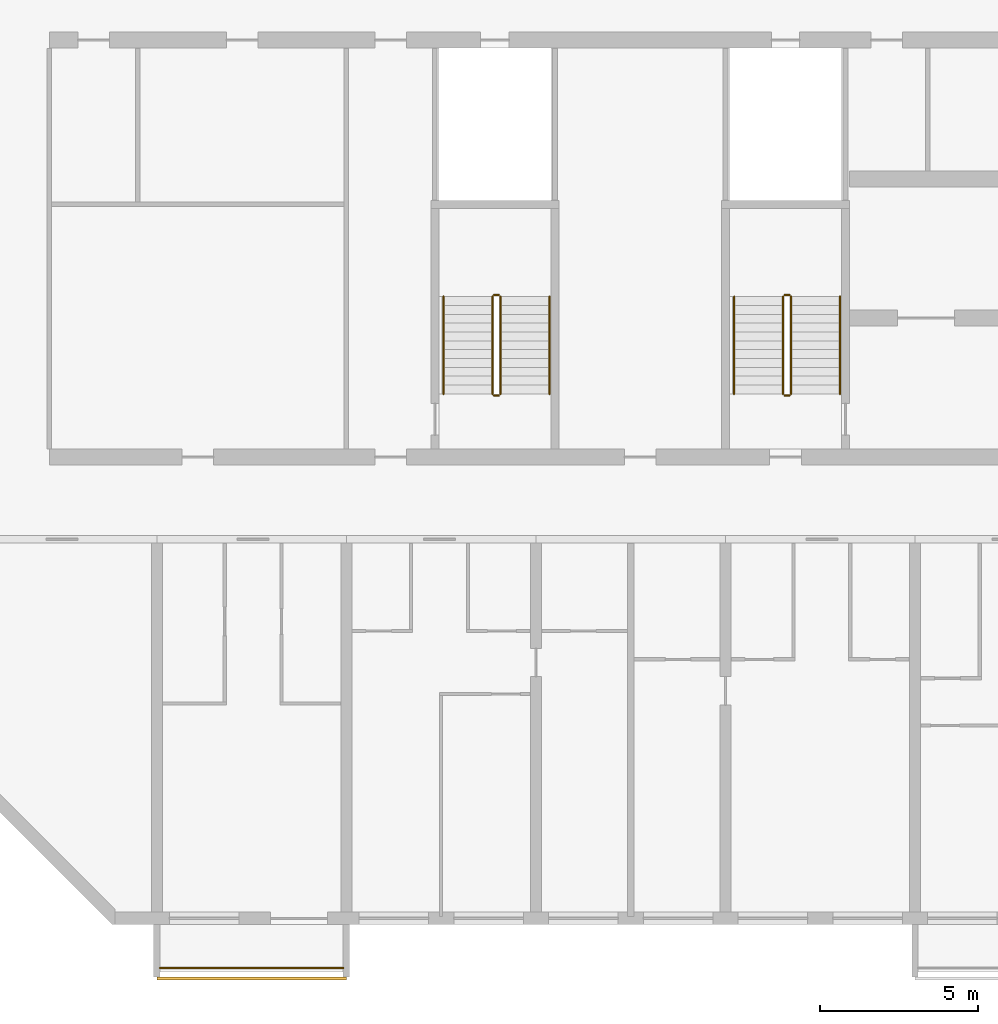
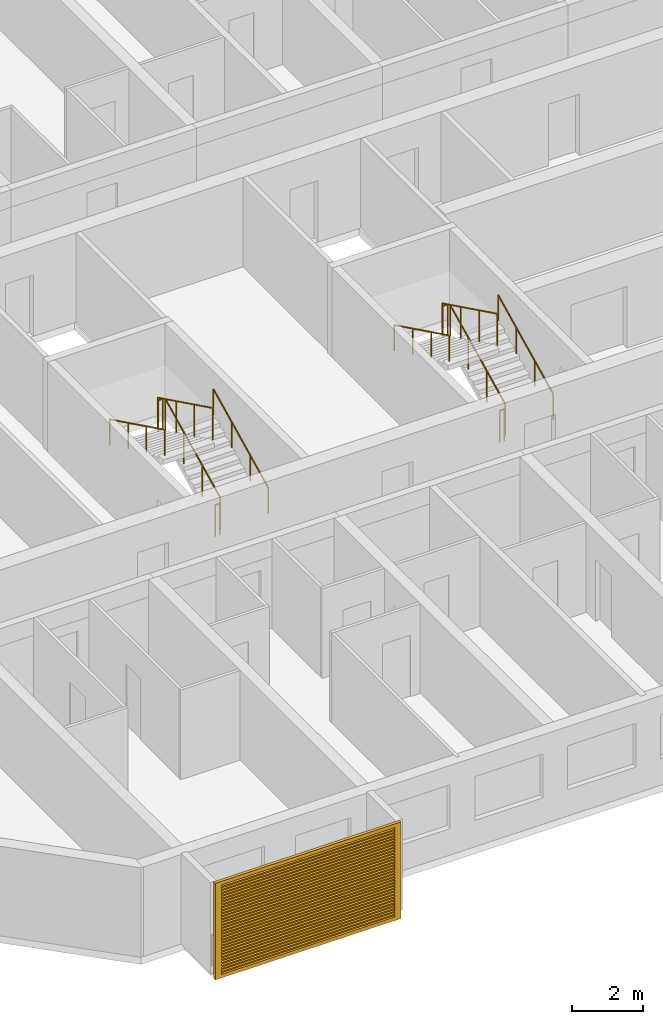
# One storey, part 17 of 27: 13 railings, 1 shading device.
"""IFC4 building model written with IfcOpenShell, lengths in metres."""

import ifcopenshell
import ifcopenshell.guid

model = None  # the IFC model being written
_history = None  # IfcOwnerHistory: only IFC2X3 demands one
_inside = {}  # id of a spatial element -> (the spatial element, [elements in it])
_under = {}  # id of a project, library or spatial element -> (it, [spatial elements below it])
_declared = {}  # id of a project -> (the project, [libraries it declares])
_typed = {}  # id of a type object -> (the type object, [elements of that type])
_made_of = {}  # id of a material, layer set ... -> (it, [elements and type objects made of it])


def new_model(schema):
    """Start an empty IFC model of exactly this schema.

    Asked for "IFC4X3", IfcOpenShell would pick the latest addendum, in which some entities
    have other attributes; the version numbers below select the first issue.
    IFC2X3 requires an IfcOwnerHistory on every rooted entity: one is made here for all.
    """
    global model, _history
    if schema == "IFC4X3":
        model = ifcopenshell.file(schema_version=(4, 3, 0, 0))
    else:
        model = ifcopenshell.file(schema=schema)
    _inside.clear()
    _under.clear()
    _declared.clear()
    _typed.clear()
    _made_of.clear()
    _history = None
    if model.schema == "IFC2X3":
        org = make("IfcOrganization", Name="unknown")
        user = make(
            "IfcPersonAndOrganization",
            ThePerson=make("IfcPerson", FamilyName="unknown"),
            TheOrganization=org,
        )
        app = make(
            "IfcApplication",
            ApplicationDeveloper=org,
            Version="unknown",
            ApplicationFullName="unknown",
            ApplicationIdentifier="unknown",
        )
        _history = make(
            "IfcOwnerHistory",
            OwningUser=user,
            OwningApplication=app,
            ChangeAction="ADDED",
            CreationDate=0,
        )
    return model


def make(cls, **values):
    """One entity of the class cls with the attributes given. An attribute that is None is left unset."""
    return model.create_entity(
        cls, **{name: value for name, value in values.items() if value is not None}
    )


def rooted(cls, **values):
    """An entity with a GlobalId (a new one), such as an element, a storey or a relation."""
    return make(cls, GlobalId=ifcopenshell.guid.new(), OwnerHistory=_history, **values)


def si_unit(unit_type, name, prefix=None):
    """IfcSIUnit, for example si_unit("LENGTHUNIT", "METRE", prefix="MILLI")."""
    return make("IfcSIUnit", UnitType=unit_type, Prefix=prefix, Name=name)


def assignment(units):
    """IfcUnitAssignment: the units of a project."""
    return None if units is None else make("IfcUnitAssignment", Units=units)


def point(xyz):
    """IfcCartesianPoint."""
    return None if xyz is None else make("IfcCartesianPoint", Coordinates=xyz)


def direction(xyz):
    """IfcDirection."""
    return None if xyz is None else make("IfcDirection", DirectionRatios=xyz)


def frame(location, z_axis=None, x_axis=None):
    """IfcAxis2Placement3D, a coordinate frame: its origin and axes. An axis left out is left unset."""
    return make(
        "IfcAxis2Placement3D",
        Location=point(location),
        Axis=direction(z_axis),
        RefDirection=direction(x_axis),
    )


def frame_2d(location, x_axis=None):
    """IfcAxis2Placement2D, a coordinate frame in the plane: its origin and x axis."""
    return make(
        "IfcAxis2Placement2D", Location=point(location), RefDirection=direction(x_axis)
    )


def origin():
    """The frame at (0, 0, 0) with its axes left unset."""
    return frame((0.0, 0.0, 0.0))


def origin_2d():
    """The frame at (0, 0) in the plane with its x axis left unset."""
    return frame_2d((0.0, 0.0))


def place(relative_to, where):
    """IfcLocalPlacement: puts the frame where relative to a parent placement (None: the world)."""
    return make(
        "IfcLocalPlacement", PlacementRelTo=relative_to, RelativePlacement=where
    )


def context(
    kind, dimensions, precision=None, world=None, true_north=None, identifier=None
):
    """IfcGeometricRepresentationContext, for example the 3D "Model" context."""
    return make(
        "IfcGeometricRepresentationContext",
        ContextIdentifier=identifier,
        ContextType=kind,
        CoordinateSpaceDimension=dimensions,
        Precision=precision,
        WorldCoordinateSystem=world,
        TrueNorth=true_north,
    )


def subcontext(parent, identifier, kind, view, scale=None):
    """IfcGeometricRepresentationSubContext, for example "Body" below "Model"."""
    return make(
        "IfcGeometricRepresentationSubContext",
        ContextIdentifier=identifier,
        ContextType=kind,
        ParentContext=parent,
        TargetScale=scale,
        TargetView=view,
    )


def project(units=None, contexts=None):
    """IfcProject with its units and contexts."""
    return rooted(
        "IfcProject",
        Name="project",
        RepresentationContexts=contexts,
        UnitsInContext=assignment(units),
    )


def spatial(cls, under=None, at=None, **own):
    """A site, building, storey or space (cls), placed at a placement, below another one or the project."""
    s = rooted(cls, ObjectPlacement=at, **own)
    if under is not None:
        _under.setdefault(under.id(), (under, []))[1].append(s)
    return s


def polyline(points):
    """IfcPolyline through the points."""
    return make("IfcPolyline", Points=[point(p) for p in points])


def profile(cls, at=None, kind="AREA", **sizes):
    """A parametric profile (cls). Its sizes go by their IFC names, for example OverallWidth=200.0."""
    return make(cls, ProfileType=kind, Position=at, **sizes)


def circle(**sizes):
    """IfcCircleProfileDef."""
    return profile("IfcCircleProfileDef", **sizes)


def outline(outer, holes=None, kind="AREA"):
    """IfcArbitraryClosedProfileDef: a profile drawn as a closed curve; with holes, ...WithVoids."""
    if holes is None:
        return make("IfcArbitraryClosedProfileDef", ProfileType=kind, OuterCurve=outer)
    return make(
        "IfcArbitraryProfileDefWithVoids",
        ProfileType=kind,
        OuterCurve=outer,
        InnerCurves=holes,
    )


def extrude(swept, where, along, depth):
    """IfcExtrudedAreaSolid: the profile swept, set in the frame where, extruded along a direction by depth."""
    return make(
        "IfcExtrudedAreaSolid",
        SweptArea=swept,
        Position=where,
        ExtrudedDirection=direction(along),
        Depth=depth,
    )


def shape(context_of_items, identifier, shape_type, items):
    """IfcShapeRepresentation: the items that make up one representation, for example the "Body"."""
    return make(
        "IfcShapeRepresentation",
        ContextOfItems=context_of_items,
        RepresentationIdentifier=identifier,
        RepresentationType=shape_type,
        Items=items,
    )


def source(mapping_origin, context_of_items, identifier, shape_type, items):
    """IfcRepresentationMap: a shape defined once, which mapped items show again and again."""
    return make(
        "IfcRepresentationMap",
        MappingOrigin=mapping_origin,
        MappedRepresentation=shape(context_of_items, identifier, shape_type, items),
    )


def transform(
    local_origin,
    x_axis=None,
    y_axis=None,
    z_axis=None,
    scale=None,
    scale2=None,
    scale3=None,
    uniform=True,
):
    """IfcCartesianTransformationOperator3D, or its non-uniform kind. x_axis, y_axis, z_axis: its Axis1, 2, 3."""
    if uniform:
        return make(
            "IfcCartesianTransformationOperator3D",
            Axis1=direction(x_axis),
            Axis2=direction(y_axis),
            LocalOrigin=point(local_origin),
            Scale=scale,
            Axis3=direction(z_axis),
        )
    return make(
        "IfcCartesianTransformationOperator3DnonUniform",
        Axis1=direction(x_axis),
        Axis2=direction(y_axis),
        LocalOrigin=point(local_origin),
        Scale=scale,
        Axis3=direction(z_axis),
        Scale2=scale2,
        Scale3=scale3,
    )


def mapped(mapping_source, mapping_target):
    """IfcMappedItem: shows the shape of a source again, moved by a transform."""
    return make(
        "IfcMappedItem", MappingSource=mapping_source, MappingTarget=mapping_target
    )


def material(Name=None, Category=None):
    """IfcMaterial."""
    return make("IfcMaterial", Name=Name, Category=Category)


def material_profile(
    of_material, cross_section, Name=None, Category=None, Priority=None
):
    """IfcMaterialProfile: a cross section and its material."""
    return make(
        "IfcMaterialProfile",
        Name=Name,
        Material=of_material,
        Profile=cross_section,
        Priority=Priority,
        Category=Category,
    )


def profile_set(profiles, Name=None, composite=None):
    """IfcMaterialProfileSet."""
    return make(
        "IfcMaterialProfileSet",
        Name=Name,
        MaterialProfiles=profiles,
        CompositeProfile=composite,
    )


def made_of(thing, what):
    """Note that an element or type object is made of a material, layer set ...; save() writes the relation."""
    if what is not None:
        _made_of.setdefault(what.id(), (what, []))[1].append(thing)
    return thing


def type_object(cls, material=None, **own):
    """A type object (cls), such as IfcWallType, which elements share."""
    return made_of(rooted(cls, **own), material)


def element(
    cls,
    number,
    at=None,
    inside=None,
    cuts=None,
    type_object=None,
    material=None,
    context=None,
    identifier="Body",
    shape_type=None,
    held_by="IfcProductDefinitionShape",
    body=None,
    shapes=None,
    **own,
):
    """One element of the class cls, such as IfcWall. Its Tag is "e" and its number.

    at: its placement. inside: the storey or other place that contains it. cuts: it is an
    opening in that element (IfcRelVoidsElement). A single representation is given by context,
    identifier, shape_type and body (its items); several are given by shapes. held_by: the class
    of the entity that holds the representations. save() writes the other relations.
    """
    e = rooted(cls, Tag="e%d" % number, ObjectPlacement=at, **own)
    if body is not None:
        shapes = [shape(context, identifier, shape_type, body)]
    if shapes is not None:
        e.Representation = make(held_by, Representations=shapes)
    if inside is not None:
        _inside.setdefault(inside.id(), (inside, []))[1].append(e)
    if cuts is not None:
        rooted(
            "IfcRelVoidsElement", RelatingBuildingElement=cuts, RelatedOpeningElement=e
        )
    if type_object is not None:
        _typed.setdefault(type_object.id(), (type_object, []))[1].append(e)
    return made_of(e, material)


def aggregate(whole, parts):
    """IfcRelAggregates: a whole, such as a stair, and the parts it consists of."""
    return rooted("IfcRelAggregates", RelatingObject=whole, RelatedObjects=parts)


def save(model, path):
    """Write the relations noted so far, then the file.

    IfcRelAggregates (storeys below a building ...), IfcRelContainedInSpatialStructure (elements
    in a storey), IfcRelDefinesByType, IfcRelAssociatesMaterial and IfcRelDeclares: one each for
    every whole, place, type object, material and project.
    """
    for whole, parts in _under.values():
        aggregate(whole, parts)
    for where, things in _inside.values():
        rooted(
            "IfcRelContainedInSpatialStructure",
            RelatedElements=things,
            RelatingStructure=where,
        )
    for kind, things in _typed.values():
        rooted("IfcRelDefinesByType", RelatedObjects=things, RelatingType=kind)
    for what, things in _made_of.values():
        rooted("IfcRelAssociatesMaterial", RelatedObjects=things, RelatingMaterial=what)
    for by, libraries in _declared.values():
        rooted("IfcRelDeclares", RelatingContext=by, RelatedDefinitions=libraries)
    model.write(path)


model = new_model("IFC4")

# Units and contexts
model_context = context("Model", 3, precision=1e-05, world=origin(), true_north=direction((0.0, 1.0)))
body_context = subcontext(model_context, "Body", "Model", "MODEL_VIEW")
ifc_project = project(units=[si_unit("LENGTHUNIT", "METRE"), si_unit("AREAUNIT", "SQUARE_METRE"), si_unit("VOLUMEUNIT", "CUBIC_METRE"), si_unit("PLANEANGLEUNIT", "RADIAN"), si_unit("MASSUNIT", "GRAM", prefix="KILO")], contexts=[model_context])

# Site, building, storey
site_placement = place(None, origin())
site = spatial("IfcSite", under=ifc_project, at=site_placement, CompositionType="ELEMENT")
building_placement = place(site_placement, origin())
building = spatial("IfcBuilding", under=site, at=building_placement, Name="Poui Terraces", CompositionType="ELEMENT")
storey_placement = place(building_placement, frame((0.0, 0.0, 92.699951171875)))
storey = spatial("IfcBuildingStorey", under=building, at=storey_placement, Name="L25", CompositionType="ELEMENT", Elevation=92.699951171875)

# Railings
ifc_material_1 = material(Name="Painted steel fretwork", Category="steel")
railing_type_1 = type_object("IfcRailingType", Name="BALCONY GUARD 1100", PredefinedType="GUARDRAIL", material=ifc_material_1)
railing_1_placement = place(storey_placement, frame((12.10009765625, -1.570068359375, 0.0)))
element("IfcRailing", 1, at=railing_1_placement, inside=storey, type_object=railing_type_1, Name="BALCONY GUARD", PredefinedType="GUARDRAIL", context=body_context, shape_type="SweptSolid", body=[
    extrude(circle(Radius=0.02392578125, at=origin_2d()), frame((0.0, 0.0, 1.076171875), z_axis=(1.0, 0.0, 0.0), x_axis=(0.0, 1.0, 0.0)), (0.0, 0.0, 1.0), 5.7998046875),
    extrude(circle(Radius=0.02099609375, at=origin_2d()), origin(), (0.0, 0.0, 1.0), 1.052001953125),
    extrude(circle(Radius=0.02099609375, at=origin_2d()), frame((0.966552734375, 0.0, 0.0)), (0.0, 0.0, 1.0), 1.052001953125),
    extrude(circle(Radius=0.02099609375, at=origin_2d()), frame((1.933349609375, 0.0, 0.0)), (0.0, 0.0, 1.0), 1.052001953125),
    extrude(circle(Radius=0.02099609375, at=origin_2d()), frame((2.89990234375, 0.0, 0.0)), (0.0, 0.0, 1.0), 1.052001953125),
    extrude(circle(Radius=0.02099609375, at=origin_2d()), frame((3.866455078125, 0.0, 0.0)), (0.0, 0.0, 1.0), 1.052001953125),
    extrude(circle(Radius=0.02099609375, at=origin_2d()), frame((4.833251953125, 0.0, 0.0)), (0.0, 0.0, 1.0), 1.052001953125),
    extrude(circle(Radius=0.02099609375, at=origin_2d()), frame((5.7998046875, 0.0, 0.0)), (0.0, 0.0, 1.0), 1.052001953125),
])
ifc_material_2 = material(Name="Galvanised steel balustrade", Category="steel")
railing_type_2 = type_object("IfcRailingType", Name="STAIR GUARD 1100", PredefinedType="GUARDRAIL", material=ifc_material_2)
railing_2_placement = place(storey_placement, frame((32.074951171875, 16.60009765625, 0.137451171875)))
element("IfcRailing", 2, at=railing_2_placement, inside=storey, type_object=railing_type_2, Name="L25 ST-CW stair guard 1", PredefinedType="GUARDRAIL", context=body_context, shape_type="SweptSolid", body=[
    extrude(circle(Radius=0.02392578125, at=origin_2d()), frame((0.0, 0.0, 1.076171875), z_axis=(0.0, 0.897578036475, 0.440855609512), x_axis=(-1.0, 0.0, 0.0)), (0.0, 0.0, 1.0), 3.43115234375),
    extrude(circle(Radius=0.02099609375, at=origin_2d()), origin(), (0.0, 0.0, 1.0), 1.052001953125),
    extrude(circle(Radius=0.02099609375, at=origin_2d()), frame((0.0, 1.026611328125, 0.504150390625)), (0.0, 0.0, 1.0), 1.052001953125),
    extrude(circle(Radius=0.02099609375, at=origin_2d()), frame((0.0, 2.05322265625, 1.008544921875)), (0.0, 0.0, 1.0), 1.052001953125),
    extrude(circle(Radius=0.02099609375, at=origin_2d()), frame((0.0, 3.079833984375, 1.5126953125)), (0.0, 0.0, 1.0), 1.052001953125),
])
railing_3_placement = place(storey_placement, frame((32.02490234375, 19.72998046875, 1.650146484375)))
element("IfcRailing", 3, at=railing_3_placement, inside=storey, type_object=railing_type_2, Name="L25 ST-CW stair guard 2", PredefinedType="GUARDRAIL", context=body_context, shape_type="SweptSolid", body=[
    extrude(circle(Radius=0.02392578125, at=origin_2d()), frame((0.0, 0.0, 1.076171875), z_axis=(-1.0, 0.0, 0.0), x_axis=(0.0, -1.0, 0.0)), (0.0, 0.0, 1.0), 0.14990234375),
    extrude(circle(Radius=0.02099609375, at=origin_2d()), origin(), (0.0, 0.0, 1.0), 1.052001953125),
    extrude(circle(Radius=0.02099609375, at=origin_2d()), frame((-0.14990234375, 0.0, 0.0)), (0.0, 0.0, 1.0), 1.052001953125),
])
railing_4_placement = place(storey_placement, frame((31.824951171875, 19.679931640625, 1.78759765625)))
element("IfcRailing", 4, at=railing_4_placement, inside=storey, type_object=railing_type_2, Name="L25 ST-CW stair guard 3", PredefinedType="GUARDRAIL", context=body_context, shape_type="SweptSolid", body=[
    extrude(circle(Radius=0.02392578125, at=origin_2d()), frame((0.0, 0.0, 1.076171875), z_axis=(0.0, -0.897606190399, 0.440798283751), x_axis=(1.0, 0.0, 0.0)), (0.0, 0.0, 1.0), 3.43115234375),
    extrude(circle(Radius=0.02099609375, at=origin_2d()), origin(), (0.0, 0.0, 1.0), 1.052001953125),
    extrude(circle(Radius=0.02099609375, at=origin_2d()), frame((0.0, -1.026611328125, 0.504150390625)), (0.0, 0.0, 1.0), 1.052001953125),
    extrude(circle(Radius=0.02099609375, at=origin_2d()), frame((0.0, -2.05322265625, 1.00830078125)), (0.0, 0.0, 1.0), 1.052001953125),
    extrude(circle(Radius=0.02099609375, at=origin_2d()), frame((0.0, -3.079833984375, 1.512451171875)), (0.0, 0.0, 1.0), 1.052001953125),
])
railing_5_placement = place(storey_placement, frame((32.02490234375, 16.550048828125, 0.0)))
element("IfcRailing", 5, at=railing_5_placement, inside=storey, type_object=railing_type_2, Name="L25 ST-CW stair guard 4", PredefinedType="GUARDRAIL", context=body_context, shape_type="SweptSolid", body=[
    extrude(circle(Radius=0.02392578125, at=origin_2d()), frame((0.0, 0.0, 1.076171875), z_axis=(-1.0, 0.0, 0.0), x_axis=(0.0, -1.0, 0.0)), (0.0, 0.0, 1.0), 0.14990234375),
    extrude(circle(Radius=0.02099609375, at=origin_2d()), origin(), (0.0, 0.0, 1.0), 1.052001953125),
    extrude(circle(Radius=0.02099609375, at=origin_2d()), frame((-0.14990234375, 0.0, 0.0)), (0.0, 0.0, 1.0), 1.052001953125),
])
railing_6_placement = place(storey_placement, frame((22.875, 16.60009765625, 0.137451171875)))
element("IfcRailing", 6, at=railing_6_placement, inside=storey, type_object=railing_type_2, Name="L25 ST-W stair guard 1", PredefinedType="GUARDRAIL", context=body_context, shape_type="SweptSolid", body=[
    extrude(circle(Radius=0.02392578125, at=origin_2d()), frame((0.0, 0.0, 1.076171875), z_axis=(0.0, 0.897578036475, 0.440855609512), x_axis=(-1.0, 0.0, 0.0)), (0.0, 0.0, 1.0), 3.43115234375),
    extrude(circle(Radius=0.02099609375, at=origin_2d()), origin(), (0.0, 0.0, 1.0), 1.052001953125),
    extrude(circle(Radius=0.02099609375, at=origin_2d()), frame((0.0, 1.026611328125, 0.504150390625)), (0.0, 0.0, 1.0), 1.052001953125),
    extrude(circle(Radius=0.02099609375, at=origin_2d()), frame((0.0, 2.05322265625, 1.008544921875)), (0.0, 0.0, 1.0), 1.052001953125),
    extrude(circle(Radius=0.02099609375, at=origin_2d()), frame((0.0, 3.079833984375, 1.5126953125)), (0.0, 0.0, 1.0), 1.052001953125),
])
railing_7_placement = place(storey_placement, frame((22.824951171875, 19.72998046875, 1.650146484375)))
element("IfcRailing", 7, at=railing_7_placement, inside=storey, type_object=railing_type_2, Name="L25 ST-W stair guard 2", PredefinedType="GUARDRAIL", context=body_context, shape_type="SweptSolid", body=[
    extrude(circle(Radius=0.02392578125, at=origin_2d()), frame((0.0, 0.0, 1.076171875), z_axis=(-1.0, 0.0, 0.0), x_axis=(0.0, -1.0, 0.0)), (0.0, 0.0, 1.0), 0.14990234375),
    extrude(circle(Radius=0.02099609375, at=origin_2d()), origin(), (0.0, 0.0, 1.0), 1.052001953125),
    extrude(circle(Radius=0.02099609375, at=origin_2d()), frame((-0.14990234375, 0.0, 0.0)), (0.0, 0.0, 1.0), 1.052001953125),
])
railing_8_placement = place(storey_placement, frame((22.625, 19.679931640625, 1.78759765625)))
element("IfcRailing", 8, at=railing_8_placement, inside=storey, type_object=railing_type_2, Name="L25 ST-W stair guard 3", PredefinedType="GUARDRAIL", context=body_context, shape_type="SweptSolid", body=[
    extrude(circle(Radius=0.02392578125, at=origin_2d()), frame((0.0, 0.0, 1.076171875), z_axis=(0.0, -0.897606190399, 0.440798283751), x_axis=(1.0, 0.0, 0.0)), (0.0, 0.0, 1.0), 3.43115234375),
    extrude(circle(Radius=0.02099609375, at=origin_2d()), origin(), (0.0, 0.0, 1.0), 1.052001953125),
    extrude(circle(Radius=0.02099609375, at=origin_2d()), frame((0.0, -1.026611328125, 0.504150390625)), (0.0, 0.0, 1.0), 1.052001953125),
    extrude(circle(Radius=0.02099609375, at=origin_2d()), frame((0.0, -2.05322265625, 1.00830078125)), (0.0, 0.0, 1.0), 1.052001953125),
    extrude(circle(Radius=0.02099609375, at=origin_2d()), frame((0.0, -3.079833984375, 1.512451171875)), (0.0, 0.0, 1.0), 1.052001953125),
])
railing_9_placement = place(storey_placement, frame((22.824951171875, 16.550048828125, 0.0)))
element("IfcRailing", 9, at=railing_9_placement, inside=storey, type_object=railing_type_2, Name="L25 ST-W stair guard 4", PredefinedType="GUARDRAIL", context=body_context, shape_type="SweptSolid", body=[
    extrude(circle(Radius=0.02392578125, at=origin_2d()), frame((0.0, 0.0, 1.076171875), z_axis=(-1.0, 0.0, 0.0), x_axis=(0.0, -1.0, 0.0)), (0.0, 0.0, 1.0), 0.14990234375),
    extrude(circle(Radius=0.02099609375, at=origin_2d()), origin(), (0.0, 0.0, 1.0), 1.052001953125),
    extrude(circle(Radius=0.02099609375, at=origin_2d()), frame((-0.14990234375, 0.0, 0.0)), (0.0, 0.0, 1.0), 1.052001953125),
])
ifc_material_3 = material(Name="Stainless steel handrail", Category="steel")
railing_type_3 = type_object("IfcRailingType", Name="STAIR HANDRAIL 900", PredefinedType="HANDRAIL", material=ifc_material_3)
railing_10_placement = place(storey_placement, frame((33.625, 16.60009765625, 0.137451171875)))
element("IfcRailing", 10, at=railing_10_placement, inside=storey, type_object=railing_type_3, Name="L25 ST-CW stair handrail 1", PredefinedType="HANDRAIL", context=body_context, shape_type="SweptSolid", body=[
    extrude(circle(Radius=0.02392578125, at=origin_2d()), frame((0.0, 0.0, 0.8759765625), z_axis=(0.0, 0.897578036475, 0.440855609512), x_axis=(-1.0, 0.0, 0.0)), (0.0, 0.0, 1.0), 3.43115234375),
    extrude(circle(Radius=0.02099609375, at=origin_2d()), origin(), (0.0, 0.0, 1.0), 0.851806640625),
    extrude(circle(Radius=0.02099609375, at=origin_2d()), frame((0.0, 1.026611328125, 0.504150390625)), (0.0, 0.0, 1.0), 0.851806640625),
    extrude(circle(Radius=0.02099609375, at=origin_2d()), frame((0.0, 2.05322265625, 1.008544921875)), (0.0, 0.0, 1.0), 0.851806640625),
    extrude(circle(Radius=0.02099609375, at=origin_2d()), frame((0.0, 3.079833984375, 1.5126953125)), (0.0, 0.0, 1.0), 0.851806640625),
])
railing_11_placement = place(storey_placement, frame((30.27490234375, 19.679931640625, 1.78759765625)))
element("IfcRailing", 11, at=railing_11_placement, inside=storey, type_object=railing_type_3, Name="L25 ST-CW stair handrail 2", PredefinedType="HANDRAIL", context=body_context, shape_type="SweptSolid", body=[
    extrude(circle(Radius=0.02392578125, at=origin_2d()), frame((0.0, 0.0, 0.8759765625), z_axis=(0.0, -0.897606190399, 0.440798283751), x_axis=(1.0, 0.0, 0.0)), (0.0, 0.0, 1.0), 3.43115234375),
    extrude(circle(Radius=0.02099609375, at=origin_2d()), origin(), (0.0, 0.0, 1.0), 0.851806640625),
    extrude(circle(Radius=0.02099609375, at=origin_2d()), frame((0.0, -1.026611328125, 0.504150390625)), (0.0, 0.0, 1.0), 0.851806640625),
    extrude(circle(Radius=0.02099609375, at=origin_2d()), frame((0.0, -2.05322265625, 1.00830078125)), (0.0, 0.0, 1.0), 0.851806640625),
    extrude(circle(Radius=0.02099609375, at=origin_2d()), frame((0.0, -3.079833984375, 1.512451171875)), (0.0, 0.0, 1.0), 0.851806640625),
])
railing_12_placement = place(storey_placement, frame((24.425048828125, 16.60009765625, 0.137451171875)))
element("IfcRailing", 12, at=railing_12_placement, inside=storey, type_object=railing_type_3, Name="L25 ST-W stair handrail 1", PredefinedType="HANDRAIL", context=body_context, shape_type="SweptSolid", body=[
    extrude(circle(Radius=0.02392578125, at=origin_2d()), frame((0.0, 0.0, 0.8759765625), z_axis=(0.0, 0.897578036475, 0.440855609512), x_axis=(-1.0, 0.0, 0.0)), (0.0, 0.0, 1.0), 3.43115234375),
    extrude(circle(Radius=0.02099609375, at=origin_2d()), origin(), (0.0, 0.0, 1.0), 0.851806640625),
    extrude(circle(Radius=0.02099609375, at=origin_2d()), frame((0.0, 1.026611328125, 0.504150390625)), (0.0, 0.0, 1.0), 0.851806640625),
    extrude(circle(Radius=0.02099609375, at=origin_2d()), frame((0.0, 2.05322265625, 1.008544921875)), (0.0, 0.0, 1.0), 0.851806640625),
    extrude(circle(Radius=0.02099609375, at=origin_2d()), frame((0.0, 3.079833984375, 1.5126953125)), (0.0, 0.0, 1.0), 0.851806640625),
])
railing_13_placement = place(storey_placement, frame((21.074951171875, 19.679931640625, 1.78759765625)))
element("IfcRailing", 13, at=railing_13_placement, inside=storey, type_object=railing_type_3, Name="L25 ST-W stair handrail 2", PredefinedType="HANDRAIL", context=body_context, shape_type="SweptSolid", body=[
    extrude(circle(Radius=0.02392578125, at=origin_2d()), frame((0.0, 0.0, 0.8759765625), z_axis=(0.0, -0.897606190399, 0.440798283751), x_axis=(1.0, 0.0, 0.0)), (0.0, 0.0, 1.0), 3.43115234375),
    extrude(circle(Radius=0.02099609375, at=origin_2d()), origin(), (0.0, 0.0, 1.0), 0.851806640625),
    extrude(circle(Radius=0.02099609375, at=origin_2d()), frame((0.0, -1.026611328125, 0.504150390625)), (0.0, 0.0, 1.0), 0.851806640625),
    extrude(circle(Radius=0.02099609375, at=origin_2d()), frame((0.0, -2.05322265625, 1.00830078125)), (0.0, 0.0, 1.0), 0.851806640625),
    extrude(circle(Radius=0.02099609375, at=origin_2d()), frame((0.0, -3.079833984375, 1.512451171875)), (0.0, 0.0, 1.0), 0.851806640625),
])

# Shading device
ifc_material_4 = material(Name="Aluminium louvre", Category="aluminium")
ifc_material_profile = material_profile(ifc_material_4, outline(polyline([(-3.0, -1.64990234375), (3.0, -1.64990234375), (3.0, 1.64990234375), (-3.0, 1.64990234375), (-3.0, -1.64990234375)]), holes=[polyline([(-2.800048828125, -1.530029296875), (2.800048828125, -1.530029296875), (2.800048828125, -1.469970703125), (-2.800048828125, -1.469970703125), (-2.800048828125, -1.530029296875)]), polyline([(-2.800048828125, -1.429931640625), (2.800048828125, -1.429931640625), (2.800048828125, -1.3701171875), (-2.800048828125, -1.3701171875), (-2.800048828125, -1.429931640625)]), polyline([(-2.800048828125, -1.330078125), (2.800048828125, -1.330078125), (2.800048828125, -1.27001953125), (-2.800048828125, -1.27001953125), (-2.800048828125, -1.330078125)]), polyline([(-2.800048828125, -1.22998046875), (2.800048828125, -1.22998046875), (2.800048828125, -1.169921875), (-2.800048828125, -1.169921875), (-2.800048828125, -1.22998046875)]), polyline([(-2.800048828125, -1.1298828125), (2.800048828125, -1.1298828125), (2.800048828125, -1.070068359375), (-2.800048828125, -1.070068359375), (-2.800048828125, -1.1298828125)]), polyline([(-2.800048828125, -1.030029296875), (2.800048828125, -1.030029296875), (2.800048828125, -0.969970703125), (-2.800048828125, -0.969970703125), (-2.800048828125, -1.030029296875)]), polyline([(-2.800048828125, -0.929931640625), (2.800048828125, -0.929931640625), (2.800048828125, -0.8701171875), (-2.800048828125, -0.8701171875), (-2.800048828125, -0.929931640625)]), polyline([(-2.800048828125, -0.830078125), (2.800048828125, -0.830078125), (2.800048828125, -0.77001953125), (-2.800048828125, -0.77001953125), (-2.800048828125, -0.830078125)]), polyline([(-2.800048828125, -0.72998046875), (2.800048828125, -0.72998046875), (2.800048828125, -0.669921875), (-2.800048828125, -0.669921875), (-2.800048828125, -0.72998046875)]), polyline([(-2.800048828125, -0.6298828125), (2.800048828125, -0.6298828125), (2.800048828125, -0.570068359375), (-2.800048828125, -0.570068359375), (-2.800048828125, -0.6298828125)]), polyline([(-2.800048828125, -0.530029296875), (2.800048828125, -0.530029296875), (2.800048828125, -0.469970703125), (-2.800048828125, -0.469970703125), (-2.800048828125, -0.530029296875)]), polyline([(-2.800048828125, -0.429931640625), (2.800048828125, -0.429931640625), (2.800048828125, -0.3701171875), (-2.800048828125, -0.3701171875), (-2.800048828125, -0.429931640625)]), polyline([(-2.800048828125, -0.330078125), (2.800048828125, -0.330078125), (2.800048828125, -0.27001953125), (-2.800048828125, -0.27001953125), (-2.800048828125, -0.330078125)]), polyline([(-2.800048828125, -0.22998046875), (2.800048828125, -0.22998046875), (2.800048828125, -0.169921875), (-2.800048828125, -0.169921875), (-2.800048828125, -0.22998046875)]), polyline([(-2.800048828125, -0.1298828125), (2.800048828125, -0.1298828125), (2.800048828125, -0.070068359375), (-2.800048828125, -0.070068359375), (-2.800048828125, -0.1298828125)]), polyline([(-2.800048828125, -0.030029296875), (2.800048828125, -0.030029296875), (2.800048828125, 0.030029296875), (-2.800048828125, 0.030029296875), (-2.800048828125, -0.030029296875)]), polyline([(-2.800048828125, 0.070068359375), (2.800048828125, 0.070068359375), (2.800048828125, 0.1298828125), (-2.800048828125, 0.1298828125), (-2.800048828125, 0.070068359375)]), polyline([(-2.800048828125, 0.169921875), (2.800048828125, 0.169921875), (2.800048828125, 0.22998046875), (-2.800048828125, 0.22998046875), (-2.800048828125, 0.169921875)]), polyline([(-2.800048828125, 0.27001953125), (2.800048828125, 0.27001953125), (2.800048828125, 0.330078125), (-2.800048828125, 0.330078125), (-2.800048828125, 0.27001953125)]), polyline([(-2.800048828125, 0.3701171875), (2.800048828125, 0.3701171875), (2.800048828125, 0.429931640625), (-2.800048828125, 0.429931640625), (-2.800048828125, 0.3701171875)]), polyline([(-2.800048828125, 0.469970703125), (2.800048828125, 0.469970703125), (2.800048828125, 0.530029296875), (-2.800048828125, 0.530029296875), (-2.800048828125, 0.469970703125)]), polyline([(-2.800048828125, 0.570068359375), (2.800048828125, 0.570068359375), (2.800048828125, 0.6298828125), (-2.800048828125, 0.6298828125), (-2.800048828125, 0.570068359375)]), polyline([(-2.800048828125, 0.669921875), (2.800048828125, 0.669921875), (2.800048828125, 0.72998046875), (-2.800048828125, 0.72998046875), (-2.800048828125, 0.669921875)]), polyline([(-2.800048828125, 0.77001953125), (2.800048828125, 0.77001953125), (2.800048828125, 0.830078125), (-2.800048828125, 0.830078125), (-2.800048828125, 0.77001953125)]), polyline([(-2.800048828125, 0.8701171875), (2.800048828125, 0.8701171875), (2.800048828125, 0.929931640625), (-2.800048828125, 0.929931640625), (-2.800048828125, 0.8701171875)]), polyline([(-2.800048828125, 0.969970703125), (2.800048828125, 0.969970703125), (2.800048828125, 1.030029296875), (-2.800048828125, 1.030029296875), (-2.800048828125, 0.969970703125)]), polyline([(-2.800048828125, 1.070068359375), (2.800048828125, 1.070068359375), (2.800048828125, 1.1298828125), (-2.800048828125, 1.1298828125), (-2.800048828125, 1.070068359375)]), polyline([(-2.800048828125, 1.169921875), (2.800048828125, 1.169921875), (2.800048828125, 1.22998046875), (-2.800048828125, 1.22998046875), (-2.800048828125, 1.169921875)]), polyline([(-2.800048828125, 1.27001953125), (2.800048828125, 1.27001953125), (2.800048828125, 1.330078125), (-2.800048828125, 1.330078125), (-2.800048828125, 1.27001953125)]), polyline([(-2.800048828125, 1.3701171875), (2.800048828125, 1.3701171875), (2.800048828125, 1.429931640625), (-2.800048828125, 1.429931640625), (-2.800048828125, 1.3701171875)]), polyline([(-2.800048828125, 1.469970703125), (2.800048828125, 1.469970703125), (2.800048828125, 1.530029296875), (-2.800048828125, 1.530029296875), (-2.800048828125, 1.469970703125)])]), Name="JALOUSIE LOUVRE SHUTTER 6000X3300")
ifc_profile_set = profile_set([ifc_material_profile], Name="Aluminium louvre")
shading_device_type = type_object("IfcShadingDeviceType", Name="JALOUSIE LOUVRE SHUTTER 6000X3300", PredefinedType="JALOUSIE", material=ifc_profile_set)
shared_shape = source(origin(), body_context, "Body", "SweptSolid", [
    extrude(outline(polyline([(-3.0, -1.64990234375), (3.0, -1.64990234375), (3.0, 1.64990234375), (-3.0, 1.64990234375), (-3.0, -1.64990234375)]), holes=[polyline([(-2.800048828125, -1.530029296875), (2.800048828125, -1.530029296875), (2.800048828125, -1.469970703125), (-2.800048828125, -1.469970703125), (-2.800048828125, -1.530029296875)]), polyline([(-2.800048828125, -1.429931640625), (2.800048828125, -1.429931640625), (2.800048828125, -1.3701171875), (-2.800048828125, -1.3701171875), (-2.800048828125, -1.429931640625)]), polyline([(-2.800048828125, -1.330078125), (2.800048828125, -1.330078125), (2.800048828125, -1.27001953125), (-2.800048828125, -1.27001953125), (-2.800048828125, -1.330078125)]), polyline([(-2.800048828125, -1.22998046875), (2.800048828125, -1.22998046875), (2.800048828125, -1.169921875), (-2.800048828125, -1.169921875), (-2.800048828125, -1.22998046875)]), polyline([(-2.800048828125, -1.1298828125), (2.800048828125, -1.1298828125), (2.800048828125, -1.070068359375), (-2.800048828125, -1.070068359375), (-2.800048828125, -1.1298828125)]), polyline([(-2.800048828125, -1.030029296875), (2.800048828125, -1.030029296875), (2.800048828125, -0.969970703125), (-2.800048828125, -0.969970703125), (-2.800048828125, -1.030029296875)]), polyline([(-2.800048828125, -0.929931640625), (2.800048828125, -0.929931640625), (2.800048828125, -0.8701171875), (-2.800048828125, -0.8701171875), (-2.800048828125, -0.929931640625)]), polyline([(-2.800048828125, -0.830078125), (2.800048828125, -0.830078125), (2.800048828125, -0.77001953125), (-2.800048828125, -0.77001953125), (-2.800048828125, -0.830078125)]), polyline([(-2.800048828125, -0.72998046875), (2.800048828125, -0.72998046875), (2.800048828125, -0.669921875), (-2.800048828125, -0.669921875), (-2.800048828125, -0.72998046875)]), polyline([(-2.800048828125, -0.6298828125), (2.800048828125, -0.6298828125), (2.800048828125, -0.570068359375), (-2.800048828125, -0.570068359375), (-2.800048828125, -0.6298828125)]), polyline([(-2.800048828125, -0.530029296875), (2.800048828125, -0.530029296875), (2.800048828125, -0.469970703125), (-2.800048828125, -0.469970703125), (-2.800048828125, -0.530029296875)]), polyline([(-2.800048828125, -0.429931640625), (2.800048828125, -0.429931640625), (2.800048828125, -0.3701171875), (-2.800048828125, -0.3701171875), (-2.800048828125, -0.429931640625)]), polyline([(-2.800048828125, -0.330078125), (2.800048828125, -0.330078125), (2.800048828125, -0.27001953125), (-2.800048828125, -0.27001953125), (-2.800048828125, -0.330078125)]), polyline([(-2.800048828125, -0.22998046875), (2.800048828125, -0.22998046875), (2.800048828125, -0.169921875), (-2.800048828125, -0.169921875), (-2.800048828125, -0.22998046875)]), polyline([(-2.800048828125, -0.1298828125), (2.800048828125, -0.1298828125), (2.800048828125, -0.070068359375), (-2.800048828125, -0.070068359375), (-2.800048828125, -0.1298828125)]), polyline([(-2.800048828125, -0.030029296875), (2.800048828125, -0.030029296875), (2.800048828125, 0.030029296875), (-2.800048828125, 0.030029296875), (-2.800048828125, -0.030029296875)]), polyline([(-2.800048828125, 0.070068359375), (2.800048828125, 0.070068359375), (2.800048828125, 0.1298828125), (-2.800048828125, 0.1298828125), (-2.800048828125, 0.070068359375)]), polyline([(-2.800048828125, 0.169921875), (2.800048828125, 0.169921875), (2.800048828125, 0.22998046875), (-2.800048828125, 0.22998046875), (-2.800048828125, 0.169921875)]), polyline([(-2.800048828125, 0.27001953125), (2.800048828125, 0.27001953125), (2.800048828125, 0.330078125), (-2.800048828125, 0.330078125), (-2.800048828125, 0.27001953125)]), polyline([(-2.800048828125, 0.3701171875), (2.800048828125, 0.3701171875), (2.800048828125, 0.429931640625), (-2.800048828125, 0.429931640625), (-2.800048828125, 0.3701171875)]), polyline([(-2.800048828125, 0.469970703125), (2.800048828125, 0.469970703125), (2.800048828125, 0.530029296875), (-2.800048828125, 0.530029296875), (-2.800048828125, 0.469970703125)]), polyline([(-2.800048828125, 0.570068359375), (2.800048828125, 0.570068359375), (2.800048828125, 0.6298828125), (-2.800048828125, 0.6298828125), (-2.800048828125, 0.570068359375)]), polyline([(-2.800048828125, 0.669921875), (2.800048828125, 0.669921875), (2.800048828125, 0.72998046875), (-2.800048828125, 0.72998046875), (-2.800048828125, 0.669921875)]), polyline([(-2.800048828125, 0.77001953125), (2.800048828125, 0.77001953125), (2.800048828125, 0.830078125), (-2.800048828125, 0.830078125), (-2.800048828125, 0.77001953125)]), polyline([(-2.800048828125, 0.8701171875), (2.800048828125, 0.8701171875), (2.800048828125, 0.929931640625), (-2.800048828125, 0.929931640625), (-2.800048828125, 0.8701171875)]), polyline([(-2.800048828125, 0.969970703125), (2.800048828125, 0.969970703125), (2.800048828125, 1.030029296875), (-2.800048828125, 1.030029296875), (-2.800048828125, 0.969970703125)]), polyline([(-2.800048828125, 1.070068359375), (2.800048828125, 1.070068359375), (2.800048828125, 1.1298828125), (-2.800048828125, 1.1298828125), (-2.800048828125, 1.070068359375)]), polyline([(-2.800048828125, 1.169921875), (2.800048828125, 1.169921875), (2.800048828125, 1.22998046875), (-2.800048828125, 1.22998046875), (-2.800048828125, 1.169921875)]), polyline([(-2.800048828125, 1.27001953125), (2.800048828125, 1.27001953125), (2.800048828125, 1.330078125), (-2.800048828125, 1.330078125), (-2.800048828125, 1.27001953125)]), polyline([(-2.800048828125, 1.3701171875), (2.800048828125, 1.3701171875), (2.800048828125, 1.429931640625), (-2.800048828125, 1.429931640625), (-2.800048828125, 1.3701171875)]), polyline([(-2.800048828125, 1.469970703125), (2.800048828125, 1.469970703125), (2.800048828125, 1.530029296875), (-2.800048828125, 1.530029296875), (-2.800048828125, 1.469970703125)])]), origin(), (0.0, 0.0, 1.0), 0.099853515625),
])
shading_device_placement = place(storey_placement, frame((15.0, -1.85009765625, 1.449951171875), z_axis=(0.0, -1.0, 0.0), x_axis=(1.0, 0.0, 0.0)))
element("IfcShadingDevice", 14, at=shading_device_placement, inside=storey, type_object=shading_device_type, Name="JALOUSIE LOUVRE SHUTTER", PredefinedType="JALOUSIE", context=body_context, shape_type="MappedRepresentation", body=[
    mapped(shared_shape, transform((0.0, 0.0, 0.0))),
])

save(model, "model.ifc")
